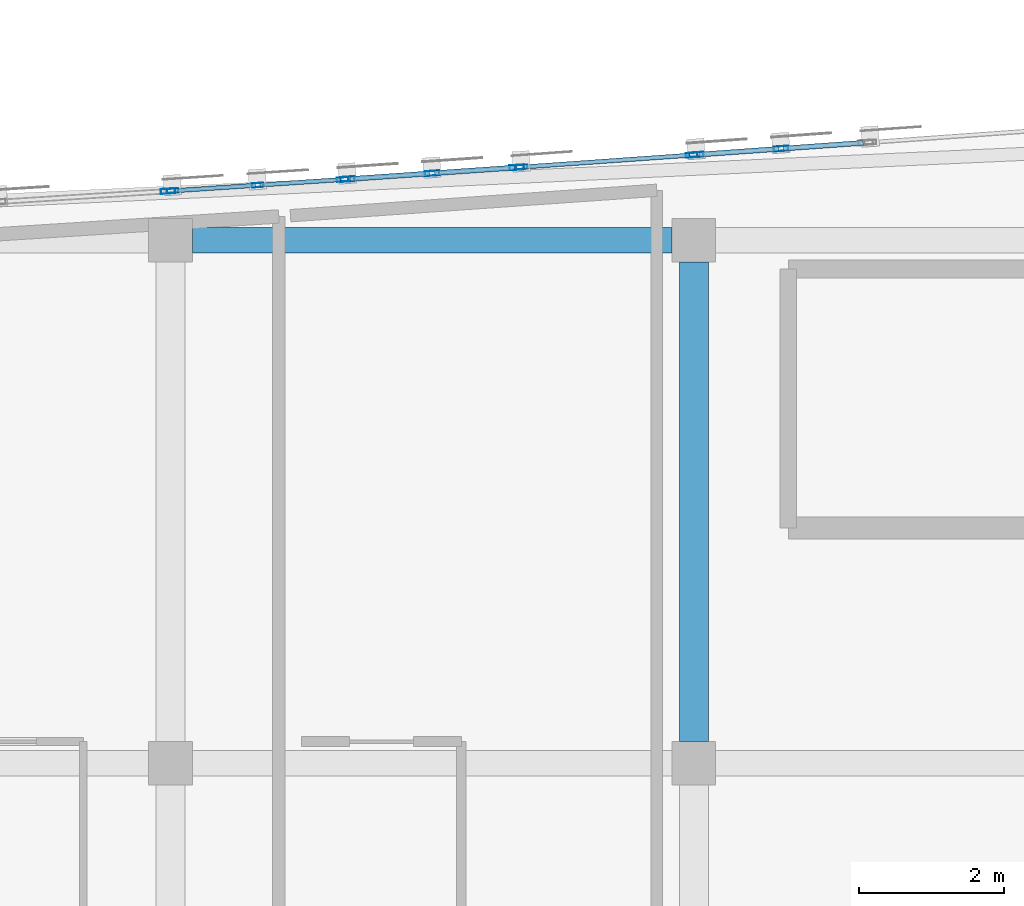
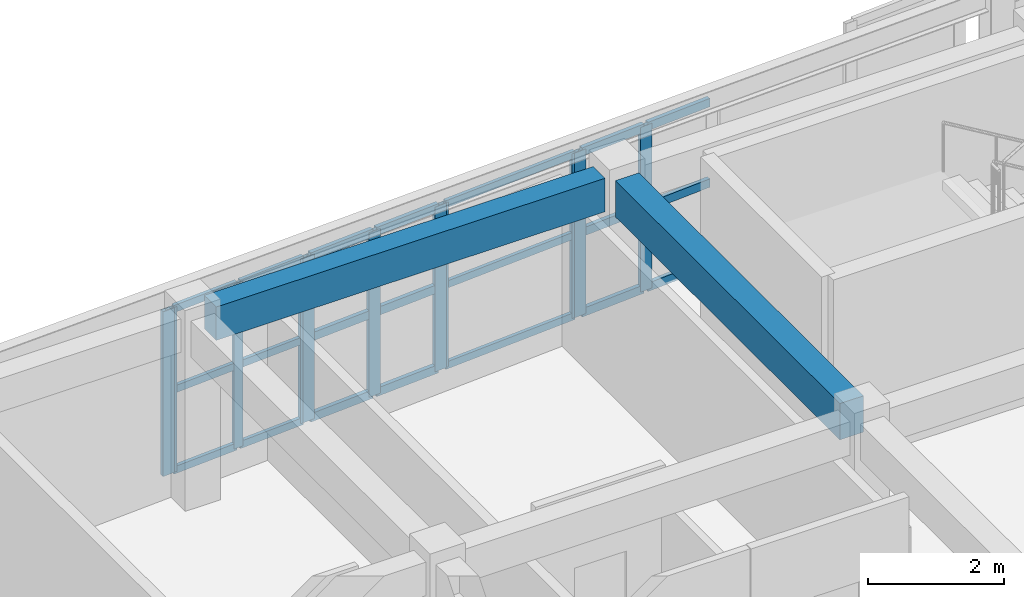
# One storey, part 7 of 41: 32 members, 2 beams, 5 elements without a shape of their own.
"""IFC4 building model written with IfcOpenShell, lengths in metres."""

from ifc_helpers import new_model, si_unit, direction, frame, origin, origin_2d, place, context, subcontext, project, spatial, rectangle, hollow_rectangle, extrude, material, layer, layer_set, material_profile, profile_set, type_object, element, aggregate, save


model = new_model("IFC4")

# Units and contexts
model_context = context("Model", 3, precision=1e-05, world=origin(), true_north=direction((0.0, 1.0)))
body_context = subcontext(model_context, "Body", "Model", "MODEL_VIEW")
ifc_project = project(units=[si_unit("LENGTHUNIT", "METRE"), si_unit("AREAUNIT", "SQUARE_METRE"), si_unit("VOLUMEUNIT", "CUBIC_METRE"), si_unit("PLANEANGLEUNIT", "RADIAN"), si_unit("MASSUNIT", "GRAM", prefix="KILO")], contexts=[model_context])

# Site, building, storey
site_placement = place(None, origin())
site = spatial("IfcSite", under=ifc_project, at=site_placement, CompositionType="ELEMENT")
building_placement = place(site_placement, origin())
building = spatial("IfcBuilding", under=site, at=building_placement, Name="Carrowvane Square Congress Hotel", CompositionType="ELEMENT")
storey_placement = place(building_placement, frame((0.0, 0.0, 37.199951171875)))
storey = spatial("IfcBuildingStorey", under=building, at=storey_placement, Name="L09", CompositionType="ELEMENT", Elevation=37.199951171875)

# Beams
ifc_material_1 = material(Name="Concrete C35/45", Category="concrete")
ifc_material_profile_1 = material_profile(ifc_material_1, rectangle(XDim=0.35009765625, YDim=0.60009765625, at=origin_2d()), Name="RC 350x600")
ifc_profile_set_1 = profile_set([ifc_material_profile_1], Name="Concrete C35/45")
beam_type_1 = type_object("IfcBeamType", Name="BM-RC-350x600", PredefinedType="BEAM", material=ifc_profile_set_1)
beam_1_placement = place(storey_placement, frame((47.89990234375, 113.39990234375, 3.080078125), z_axis=(1.0, 0.0, 0.0), x_axis=(0.0, 1.0, 0.0)))
element("IfcBeam", 1, at=beam_1_placement, inside=storey, type_object=beam_type_1, Name="L10 girder R/6-7", PredefinedType="BEAM", context=body_context, shape_type="SweptSolid", body=[
    extrude(rectangle(XDim=0.35009765625, YDim=0.60009765625, at=origin_2d()), origin(), (0.0, 0.0, 1.0), 6.60009765625),
])
ifc_material_2 = material(Name="Concrete C35/45", Category="concrete")
ifc_material_profile_2 = material_profile(ifc_material_2, rectangle(XDim=0.39990234375, YDim=0.64990234375, at=origin_2d()), Name="RC 400x650")
ifc_profile_set_2 = profile_set([ifc_material_profile_2], Name="Concrete C35/45")
beam_type_2 = type_object("IfcBeamType", Name="BM-RC-400x650", PredefinedType="BEAM", material=ifc_profile_set_2)
beam_2_placement = place(storey_placement, frame((54.800048828125, 106.5, 3.054931640625), z_axis=(0.0, 1.0, 0.0), x_axis=(-1.0, 0.0, 0.0)))
element("IfcBeam", 2, at=beam_2_placement, inside=storey, type_object=beam_type_2, Name="L10 girder 7/Q-R", PredefinedType="BEAM", context=body_context, shape_type="SweptSolid", body=[
    extrude(rectangle(XDim=0.39990234375, YDim=0.64990234375, at=origin_2d()), origin(), (0.0, 0.0, 1.0), 6.60009765625),
])

# Curtain wall, members
ifc_material_3 = material(Name="Anodised aluminium", Category="aluminium")
ifc_layer_1 = layer(ifc_material_3, 0.23388671875)
ifc_layer_set_1 = layer_set([ifc_layer_1], Name="Anodised aluminium")
curtain_wall_type_1 = type_object("IfcCurtainWallType", Name="CW-SYS-7", PredefinedType="NOTDEFINED", material=ifc_layer_set_1)
curtain_wall_1_placement = place(storey_placement, origin())
curtain_wall_1 = element("IfcCurtainWall", 3, at=curtain_wall_1_placement, inside=storey, type_object=curtain_wall_type_1, Name="L09 unitised curtain wall 510", PredefinedType="NOTDEFINED")
ifc_material_4 = material(Name="Anodised aluminium", Category="aluminium")
ifc_material_profile_3 = material_profile(ifc_material_4, hollow_rectangle(XDim=0.06005859375, YDim=0.159912109375, WallThickness=0.00390625, at=origin_2d()), Name="CW-ML 60x160x4")
ifc_profile_set_3 = profile_set([ifc_material_profile_3], Name="Anodised aluminium")
member_type_1 = type_object("IfcMemberType", Name="CW-MUL-1", PredefinedType="MULLION", material=ifc_profile_set_3)
member_1_placement = place(storey_placement, frame((47.6298828125, 114.077392578125, 0.0), z_axis=(0.0, 0.0, 1.0), x_axis=(-0.066578061501, 0.99778121937, 0.0)))
member_1 = element("IfcMember", 4, at=member_1_placement, type_object=member_type_1, Name="CW-7 mullion 1", PredefinedType="MULLION", context=body_context, shape_type="SweptSolid", body=[
    extrude(hollow_rectangle(XDim=0.06005859375, YDim=0.159912109375, WallThickness=0.00390625, at=origin_2d()), origin(), (0.0, 0.0, 1.0), 2.95556640625),
])
member_2_placement = place(storey_placement, frame((48.800048828125, 114.155517578125, 0.0), z_axis=(0.0, 0.0, 1.0), x_axis=(-0.066578061501, 0.99778121937, 0.0)))
member_2 = element("IfcMember", 5, at=member_2_placement, type_object=member_type_1, Name="CW-7 mullion 2", PredefinedType="MULLION", context=body_context, shape_type="SweptSolid", body=[
    extrude(hollow_rectangle(XDim=0.06005859375, YDim=0.159912109375, WallThickness=0.00390625, at=origin_2d()), origin(), (0.0, 0.0, 1.0), 2.95556640625),
])
member_3_placement = place(storey_placement, frame((49.969970703125, 114.2333984375, 0.0), z_axis=(0.0, 0.0, 1.0), x_axis=(-0.066578061501, 0.99778121937, 0.0)))
member_3 = element("IfcMember", 6, at=member_3_placement, type_object=member_type_1, Name="CW-7 mullion 3", PredefinedType="MULLION", context=body_context, shape_type="SweptSolid", body=[
    extrude(hollow_rectangle(XDim=0.06005859375, YDim=0.159912109375, WallThickness=0.00390625, at=origin_2d()), origin(), (0.0, 0.0, 1.0), 2.95556640625),
])

ifc_material_5 = material(Name="Anodised aluminium", Category="aluminium")
ifc_layer_2 = layer(ifc_material_5, 0.162109375)
ifc_layer_set_2 = layer_set([ifc_layer_2], Name="Anodised aluminium")
curtain_wall_type_2 = type_object("IfcCurtainWallType", Name="CW-SYS-1", PredefinedType="NOTDEFINED", material=ifc_layer_set_2)
curtain_wall_2_placement = place(storey_placement, origin())
curtain_wall_2 = element("IfcCurtainWall", 7, at=curtain_wall_2_placement, inside=storey, type_object=curtain_wall_type_2, Name="L09 unitised curtain wall 512", PredefinedType="NOTDEFINED")
member_4_placement = place(storey_placement, frame((52.429931640625, 114.403564453125, 0.0), z_axis=(0.0, 0.0, 1.0), x_axis=(-0.070585996942, 0.997505697746, 0.0)))
member_4 = element("IfcMember", 8, at=member_4_placement, type_object=member_type_1, Name="CW-1 mullion 1", PredefinedType="MULLION", context=body_context, shape_type="SweptSolid", body=[
    extrude(hollow_rectangle(XDim=0.06005859375, YDim=0.159912109375, WallThickness=0.00390625, at=origin_2d()), origin(), (0.0, 0.0, 1.0), 2.95556640625),
])
member_5_placement = place(storey_placement, frame((54.77001953125, 114.569091796875, 0.0), z_axis=(0.0, 0.0, 1.0), x_axis=(-0.070585996942, 0.997505697746, 0.0)))
member_5 = element("IfcMember", 9, at=member_5_placement, type_object=member_type_1, Name="CW-1 mullion 2", PredefinedType="MULLION", context=body_context, shape_type="SweptSolid", body=[
    extrude(hollow_rectangle(XDim=0.06005859375, YDim=0.159912109375, WallThickness=0.00390625, at=origin_2d()), origin(), (0.0, 0.0, 1.0), 2.95556640625),
])

# Curtain wall, member
ifc_material_6 = material(Name="Anodised aluminium", Category="aluminium")
ifc_layer_3 = layer(ifc_material_6, 0.221923828125)
ifc_layer_set_3 = layer_set([ifc_layer_3], Name="Anodised aluminium")
curtain_wall_type_3 = type_object("IfcCurtainWallType", Name="CW-SYS-6", PredefinedType="NOTDEFINED", material=ifc_layer_set_3)
curtain_wall_3_placement = place(storey_placement, origin())
curtain_wall_3 = element("IfcCurtainWall", 10, at=curtain_wall_3_placement, inside=storey, type_object=curtain_wall_type_3, Name="L09 unitised curtain wall 509", PredefinedType="NOTDEFINED")
ifc_material_7 = material(Name="Anodised aluminium", Category="aluminium")
ifc_material_profile_4 = material_profile(ifc_material_7, hollow_rectangle(XDim=0.070068359375, YDim=0.199951171875, WallThickness=0.0048828125, at=origin_2d()), Name="CW-ML 70x200x5")
ifc_profile_set_4 = profile_set([ifc_material_profile_4], Name="Anodised aluminium")
member_type_2 = type_object("IfcMemberType", Name="CW-MUL-2", PredefinedType="MULLION", material=ifc_profile_set_4)
member_6_placement = place(storey_placement, frame((47.56494140625, 114.0732421875, 0.0), z_axis=(0.0, 0.0, 1.0), x_axis=(-0.063273487972, 0.997996225303, 0.0)))
member_6 = element("IfcMember", 11, at=member_6_placement, type_object=member_type_2, Name="CW-6 mullion 2", PredefinedType="MULLION", context=body_context, shape_type="SweptSolid", body=[
    extrude(hollow_rectangle(XDim=0.070068359375, YDim=0.199951171875, WallThickness=0.0048828125, at=origin_2d()), origin(), (0.0, 0.0, 1.0), 2.95556640625),
])
aggregate(curtain_wall_3, [member_6])

# Curtain wall, members
ifc_material_8 = material(Name="Anodised aluminium", Category="aluminium")
ifc_layer_4 = layer(ifc_material_8, 0.24609375)
ifc_layer_set_4 = layer_set([ifc_layer_4], Name="Anodised aluminium")
curtain_wall_type_4 = type_object("IfcCurtainWallType", Name="CW-SYS-8", PredefinedType="NOTDEFINED", material=ifc_layer_set_4)
curtain_wall_4_placement = place(storey_placement, origin())
curtain_wall_4 = element("IfcCurtainWall", 12, at=curtain_wall_4_placement, inside=storey, type_object=curtain_wall_type_4, Name="L09 unitised curtain wall 511", PredefinedType="NOTDEFINED")
member_7_placement = place(storey_placement, frame((50.034912109375, 114.23779296875, 0.0), z_axis=(0.0, 0.0, 1.0), x_axis=(-0.068986120725, 0.997617619706, 0.0)))
member_7 = element("IfcMember", 13, at=member_7_placement, type_object=member_type_2, Name="CW-8 mullion 1", PredefinedType="MULLION", context=body_context, shape_type="SweptSolid", body=[
    extrude(hollow_rectangle(XDim=0.070068359375, YDim=0.199951171875, WallThickness=0.0048828125, at=origin_2d()), origin(), (0.0, 0.0, 1.0), 2.95556640625),
])
member_8_placement = place(storey_placement, frame((51.199951171875, 114.318359375, 0.0), z_axis=(0.0, 0.0, 1.0), x_axis=(-0.068986120725, 0.997617619706, 0.0)))
member_8 = element("IfcMember", 14, at=member_8_placement, type_object=member_type_2, Name="CW-8 mullion 2", PredefinedType="MULLION", context=body_context, shape_type="SweptSolid", body=[
    extrude(hollow_rectangle(XDim=0.070068359375, YDim=0.199951171875, WallThickness=0.0048828125, at=origin_2d()), origin(), (0.0, 0.0, 1.0), 2.95556640625),
])
member_9_placement = place(storey_placement, frame((52.364990234375, 114.39892578125, 0.0), z_axis=(0.0, 0.0, 1.0), x_axis=(-0.068986120725, 0.997617619706, 0.0)))
member_9 = element("IfcMember", 15, at=member_9_placement, type_object=member_type_2, Name="CW-8 mullion 3", PredefinedType="MULLION", context=body_context, shape_type="SweptSolid", body=[
    extrude(hollow_rectangle(XDim=0.070068359375, YDim=0.199951171875, WallThickness=0.0048828125, at=origin_2d()), origin(), (0.0, 0.0, 1.0), 2.95556640625),
])

ifc_material_9 = material(Name="Anodised aluminium", Category="aluminium")
ifc_layer_5 = layer(ifc_material_9, 0.174072265625)
ifc_layer_set_5 = layer_set([ifc_layer_5], Name="Anodised aluminium")
curtain_wall_type_5 = type_object("IfcCurtainWallType", Name="CW-SYS-2", PredefinedType="NOTDEFINED", material=ifc_layer_set_5)
curtain_wall_5_placement = place(storey_placement, origin())
curtain_wall_5 = element("IfcCurtainWall", 16, at=curtain_wall_5_placement, inside=storey, type_object=curtain_wall_type_5, Name="L09 unitised curtain wall 513", PredefinedType="NOTDEFINED")
member_10_placement = place(storey_placement, frame((54.8349609375, 114.57373046875, 0.0), z_axis=(0.0, 0.0, 1.0), x_axis=(-0.071418356042, 0.997446448898, 0.0)))
member_10 = element("IfcMember", 17, at=member_10_placement, type_object=member_type_2, Name="CW-2 mullion 1", PredefinedType="MULLION", context=body_context, shape_type="SweptSolid", body=[
    extrude(hollow_rectangle(XDim=0.070068359375, YDim=0.199951171875, WallThickness=0.0048828125, at=origin_2d()), origin(), (0.0, 0.0, 1.0), 2.95556640625),
])
member_11_placement = place(storey_placement, frame((56.0, 114.6572265625, 0.0), z_axis=(0.0, 0.0, 1.0), x_axis=(-0.071418356042, 0.997446448898, 0.0)))
member_11 = element("IfcMember", 18, at=member_11_placement, type_object=member_type_2, Name="CW-2 mullion 2", PredefinedType="MULLION", context=body_context, shape_type="SweptSolid", body=[
    extrude(hollow_rectangle(XDim=0.070068359375, YDim=0.199951171875, WallThickness=0.0048828125, at=origin_2d()), origin(), (0.0, 0.0, 1.0), 2.95556640625),
])

# Member
ifc_material_10 = material(Name="Anodised aluminium", Category="aluminium")
ifc_material_profile_5 = material_profile(ifc_material_10, hollow_rectangle(XDim=0.06005859375, YDim=0.1298828125, WallThickness=0.00390625, at=origin_2d()), Name="CW-TR 60x130x4")
ifc_profile_set_5 = profile_set([ifc_material_profile_5], Name="Anodised aluminium")
member_type_3 = type_object("IfcMemberType", Name="CW-TRN-1", PredefinedType="USERDEFINED", material=ifc_profile_set_5)
member_12_placement = place(storey_placement, frame((47.659912109375, 114.079345703125, 0.030029296875), z_axis=(0.997787099366, 0.066489881484, 0.0), x_axis=(-0.066489881484, 0.997787099366, 0.0)))
member_12 = element("IfcMember", 19, at=member_12_placement, type_object=member_type_3, Name="CW-7 transom 1.1", ObjectType="TRANSOM", PredefinedType="USERDEFINED", context=body_context, shape_type="SweptSolid", body=[
    extrude(hollow_rectangle(XDim=0.06005859375, YDim=0.1298828125, WallThickness=0.00390625, at=origin_2d()), origin(), (0.0, 0.0, 1.0), 1.112548828125),
])

member_13_placement = place(storey_placement, frame((47.659912109375, 114.079345703125, 1.477783203125), z_axis=(0.997787099366, 0.066489881484, 0.0), x_axis=(-0.066489881484, 0.997787099366, 0.0)))
member_13 = element("IfcMember", 20, at=member_13_placement, type_object=member_type_3, Name="CW-7 transom 1.2", ObjectType="TRANSOM", PredefinedType="USERDEFINED", context=body_context, shape_type="SweptSolid", body=[
    extrude(hollow_rectangle(XDim=0.06005859375, YDim=0.1298828125, WallThickness=0.00390625, at=origin_2d()), origin(), (0.0, 0.0, 1.0), 1.112548828125),
])

member_14_placement = place(storey_placement, frame((47.659912109375, 114.079345703125, 2.925537109375), z_axis=(0.997787099366, 0.066489881484, 0.0), x_axis=(-0.066489881484, 0.997787099366, 0.0)))
member_14 = element("IfcMember", 21, at=member_14_placement, type_object=member_type_3, Name="CW-7 transom 1.3", ObjectType="TRANSOM", PredefinedType="USERDEFINED", context=body_context, shape_type="SweptSolid", body=[
    extrude(hollow_rectangle(XDim=0.06005859375, YDim=0.1298828125, WallThickness=0.00390625, at=origin_2d()), origin(), (0.0, 0.0, 1.0), 1.112548828125),
])

member_15_placement = place(storey_placement, frame((48.829833984375, 114.157470703125, 0.030029296875), z_axis=(0.997788069164, 0.066475326508, 0.0), x_axis=(-0.066475326508, 0.997788069164, 0.0)))
member_15 = element("IfcMember", 22, at=member_15_placement, type_object=member_type_3, Name="CW-7 transom 2.1", ObjectType="TRANSOM", PredefinedType="USERDEFINED", context=body_context, shape_type="SweptSolid", body=[
    extrude(hollow_rectangle(XDim=0.06005859375, YDim=0.1298828125, WallThickness=0.00390625, at=origin_2d()), origin(), (0.0, 0.0, 1.0), 1.11279296875),
])

member_16_placement = place(storey_placement, frame((48.829833984375, 114.157470703125, 1.477783203125), z_axis=(0.997788069164, 0.066475326508, 0.0), x_axis=(-0.066475326508, 0.997788069164, 0.0)))
member_16 = element("IfcMember", 23, at=member_16_placement, type_object=member_type_3, Name="CW-7 transom 2.2", ObjectType="TRANSOM", PredefinedType="USERDEFINED", context=body_context, shape_type="SweptSolid", body=[
    extrude(hollow_rectangle(XDim=0.06005859375, YDim=0.1298828125, WallThickness=0.00390625, at=origin_2d()), origin(), (0.0, 0.0, 1.0), 1.11279296875),
])

member_17_placement = place(storey_placement, frame((48.829833984375, 114.157470703125, 2.925537109375), z_axis=(0.997788069164, 0.066475326508, 0.0), x_axis=(-0.066475326508, 0.997788069164, 0.0)))
member_17 = element("IfcMember", 24, at=member_17_placement, type_object=member_type_3, Name="CW-7 transom 2.3", ObjectType="TRANSOM", PredefinedType="USERDEFINED", context=body_context, shape_type="SweptSolid", body=[
    extrude(hollow_rectangle(XDim=0.06005859375, YDim=0.1298828125, WallThickness=0.00390625, at=origin_2d()), origin(), (0.0, 0.0, 1.0), 1.11279296875),
])

aggregate(curtain_wall_1, [member_1, member_2, member_3, member_12, member_13, member_14, member_15, member_16, member_17])

member_18_placement = place(storey_placement, frame((52.4599609375, 114.40576171875, 0.030029296875), z_axis=(0.997505109293, 0.070594312339, 0.0), x_axis=(-0.070594312339, 0.997505109293, 0.0)))
member_18 = element("IfcMember", 25, at=member_18_placement, type_object=member_type_3, Name="CW-1 transom 1.1", ObjectType="TRANSOM", PredefinedType="USERDEFINED", context=body_context, shape_type="SweptSolid", body=[
    extrude(hollow_rectangle(XDim=0.06005859375, YDim=0.1298828125, WallThickness=0.00390625, at=origin_2d()), origin(), (0.0, 0.0, 1.0), 2.285888671875),
])

member_19_placement = place(storey_placement, frame((52.4599609375, 114.40576171875, 1.477783203125), z_axis=(0.997505109293, 0.070594312339, 0.0), x_axis=(-0.070594312339, 0.997505109293, 0.0)))
member_19 = element("IfcMember", 26, at=member_19_placement, type_object=member_type_3, Name="CW-1 transom 1.2", ObjectType="TRANSOM", PredefinedType="USERDEFINED", context=body_context, shape_type="SweptSolid", body=[
    extrude(hollow_rectangle(XDim=0.06005859375, YDim=0.1298828125, WallThickness=0.00390625, at=origin_2d()), origin(), (0.0, 0.0, 1.0), 2.285888671875),
])

member_20_placement = place(storey_placement, frame((52.4599609375, 114.40576171875, 2.925537109375), z_axis=(0.997505109293, 0.070594312339, 0.0), x_axis=(-0.070594312339, 0.997505109293, 0.0)))
member_20 = element("IfcMember", 27, at=member_20_placement, type_object=member_type_3, Name="CW-1 transom 1.3", ObjectType="TRANSOM", PredefinedType="USERDEFINED", context=body_context, shape_type="SweptSolid", body=[
    extrude(hollow_rectangle(XDim=0.06005859375, YDim=0.1298828125, WallThickness=0.00390625, at=origin_2d()), origin(), (0.0, 0.0, 1.0), 2.285888671875),
])

aggregate(curtain_wall_2, [member_4, member_5, member_18, member_19, member_20])

ifc_material_11 = material(Name="Anodised aluminium", Category="aluminium")
ifc_material_profile_6 = material_profile(ifc_material_11, hollow_rectangle(XDim=0.070068359375, YDim=0.14990234375, WallThickness=0.0048828125, at=origin_2d()), Name="CW-TR 70x150x5")
ifc_profile_set_6 = profile_set([ifc_material_profile_6], Name="Anodised aluminium")
member_type_4 = type_object("IfcMemberType", Name="CW-TRN-2", PredefinedType="USERDEFINED", material=ifc_profile_set_6)
member_21_placement = place(storey_placement, frame((50.06982421875, 114.240234375, 0.03515625), z_axis=(0.997605525586, 0.069160793236, 0.0), x_axis=(-0.069160793236, 0.997605525586, 0.0)))
member_21 = element("IfcMember", 28, at=member_21_placement, type_object=member_type_4, Name="CW-8 transom 1.1", ObjectType="TRANSOM", PredefinedType="USERDEFINED", context=body_context, shape_type="SweptSolid", body=[
    extrude(hollow_rectangle(XDim=0.070068359375, YDim=0.14990234375, WallThickness=0.0048828125, at=origin_2d()), origin(), (0.0, 0.0, 1.0), 1.097900390625),
])

member_22_placement = place(storey_placement, frame((50.06982421875, 114.240234375, 1.477783203125), z_axis=(0.997605525586, 0.069160793236, 0.0), x_axis=(-0.069160793236, 0.997605525586, 0.0)))
member_22 = element("IfcMember", 29, at=member_22_placement, type_object=member_type_4, Name="CW-8 transom 1.2", ObjectType="TRANSOM", PredefinedType="USERDEFINED", context=body_context, shape_type="SweptSolid", body=[
    extrude(hollow_rectangle(XDim=0.070068359375, YDim=0.14990234375, WallThickness=0.0048828125, at=origin_2d()), origin(), (0.0, 0.0, 1.0), 1.097900390625),
])

member_23_placement = place(storey_placement, frame((50.06982421875, 114.240234375, 2.920654296875), z_axis=(0.997605525586, 0.069160793236, 0.0), x_axis=(-0.069160793236, 0.997605525586, 0.0)))
member_23 = element("IfcMember", 30, at=member_23_placement, type_object=member_type_4, Name="CW-8 transom 1.3", ObjectType="TRANSOM", PredefinedType="USERDEFINED", context=body_context, shape_type="SweptSolid", body=[
    extrude(hollow_rectangle(XDim=0.070068359375, YDim=0.14990234375, WallThickness=0.0048828125, at=origin_2d()), origin(), (0.0, 0.0, 1.0), 1.097900390625),
])

member_24_placement = place(storey_placement, frame((51.23486328125, 114.32080078125, 0.03515625), z_axis=(0.997605525586, 0.069160793236, 0.0), x_axis=(-0.069160793236, 0.997605525586, 0.0)))
member_24 = element("IfcMember", 31, at=member_24_placement, type_object=member_type_4, Name="CW-8 transom 2.1", ObjectType="TRANSOM", PredefinedType="USERDEFINED", context=body_context, shape_type="SweptSolid", body=[
    extrude(hollow_rectangle(XDim=0.070068359375, YDim=0.14990234375, WallThickness=0.0048828125, at=origin_2d()), origin(), (0.0, 0.0, 1.0), 1.097900390625),
])

member_25_placement = place(storey_placement, frame((51.23486328125, 114.32080078125, 1.477783203125), z_axis=(0.997605525586, 0.069160793236, 0.0), x_axis=(-0.069160793236, 0.997605525586, 0.0)))
member_25 = element("IfcMember", 32, at=member_25_placement, type_object=member_type_4, Name="CW-8 transom 2.2", ObjectType="TRANSOM", PredefinedType="USERDEFINED", context=body_context, shape_type="SweptSolid", body=[
    extrude(hollow_rectangle(XDim=0.070068359375, YDim=0.14990234375, WallThickness=0.0048828125, at=origin_2d()), origin(), (0.0, 0.0, 1.0), 1.097900390625),
])

member_26_placement = place(storey_placement, frame((51.23486328125, 114.32080078125, 2.920654296875), z_axis=(0.997605525586, 0.069160793236, 0.0), x_axis=(-0.069160793236, 0.997605525586, 0.0)))
member_26 = element("IfcMember", 33, at=member_26_placement, type_object=member_type_4, Name="CW-8 transom 2.3", ObjectType="TRANSOM", PredefinedType="USERDEFINED", context=body_context, shape_type="SweptSolid", body=[
    extrude(hollow_rectangle(XDim=0.070068359375, YDim=0.14990234375, WallThickness=0.0048828125, at=origin_2d()), origin(), (0.0, 0.0, 1.0), 1.097900390625),
])

aggregate(curtain_wall_4, [member_7, member_8, member_9, member_21, member_22, member_23, member_24, member_25, member_26])

member_27_placement = place(storey_placement, frame((54.869873046875, 114.576171875, 0.03515625), z_axis=(0.997433808996, 0.071594669304, 0.0), x_axis=(-0.071594669304, 0.997433808996, 0.0)))
member_27 = element("IfcMember", 34, at=member_27_placement, type_object=member_type_4, Name="CW-2 transom 1.1", ObjectType="TRANSOM", PredefinedType="USERDEFINED", context=body_context, shape_type="SweptSolid", body=[
    extrude(hollow_rectangle(XDim=0.070068359375, YDim=0.14990234375, WallThickness=0.0048828125, at=origin_2d()), origin(), (0.0, 0.0, 1.0), 1.09814453125),
])

member_28_placement = place(storey_placement, frame((54.869873046875, 114.576171875, 1.477783203125), z_axis=(0.997433808996, 0.071594669304, 0.0), x_axis=(-0.071594669304, 0.997433808996, 0.0)))
member_28 = element("IfcMember", 35, at=member_28_placement, type_object=member_type_4, Name="CW-2 transom 1.2", ObjectType="TRANSOM", PredefinedType="USERDEFINED", context=body_context, shape_type="SweptSolid", body=[
    extrude(hollow_rectangle(XDim=0.070068359375, YDim=0.14990234375, WallThickness=0.0048828125, at=origin_2d()), origin(), (0.0, 0.0, 1.0), 1.09814453125),
])

member_29_placement = place(storey_placement, frame((54.869873046875, 114.576171875, 2.920654296875), z_axis=(0.997433808996, 0.071594669304, 0.0), x_axis=(-0.071594669304, 0.997433808996, 0.0)))
member_29 = element("IfcMember", 36, at=member_29_placement, type_object=member_type_4, Name="CW-2 transom 1.3", ObjectType="TRANSOM", PredefinedType="USERDEFINED", context=body_context, shape_type="SweptSolid", body=[
    extrude(hollow_rectangle(XDim=0.070068359375, YDim=0.14990234375, WallThickness=0.0048828125, at=origin_2d()), origin(), (0.0, 0.0, 1.0), 1.09814453125),
])

member_30_placement = place(storey_placement, frame((56.034912109375, 114.65966796875, 0.03515625), z_axis=(0.997449662492, 0.071373460022, 0.0), x_axis=(-0.071373460022, 0.997449662492, 0.0)))
member_30 = element("IfcMember", 37, at=member_30_placement, type_object=member_type_4, Name="CW-2 transom 2.1", ObjectType="TRANSOM", PredefinedType="USERDEFINED", context=body_context, shape_type="SweptSolid", body=[
    extrude(hollow_rectangle(XDim=0.070068359375, YDim=0.14990234375, WallThickness=0.0048828125, at=origin_2d()), origin(), (0.0, 0.0, 1.0), 1.097900390625),
])

member_31_placement = place(storey_placement, frame((56.034912109375, 114.65966796875, 1.477783203125), z_axis=(0.997449662492, 0.071373460022, 0.0), x_axis=(-0.071373460022, 0.997449662492, 0.0)))
member_31 = element("IfcMember", 38, at=member_31_placement, type_object=member_type_4, Name="CW-2 transom 2.2", ObjectType="TRANSOM", PredefinedType="USERDEFINED", context=body_context, shape_type="SweptSolid", body=[
    extrude(hollow_rectangle(XDim=0.070068359375, YDim=0.14990234375, WallThickness=0.0048828125, at=origin_2d()), origin(), (0.0, 0.0, 1.0), 1.097900390625),
])

member_32_placement = place(storey_placement, frame((56.034912109375, 114.65966796875, 2.920654296875), z_axis=(0.997449662492, 0.071373460022, 0.0), x_axis=(-0.071373460022, 0.997449662492, 0.0)))
member_32 = element("IfcMember", 39, at=member_32_placement, type_object=member_type_4, Name="CW-2 transom 2.3", ObjectType="TRANSOM", PredefinedType="USERDEFINED", context=body_context, shape_type="SweptSolid", body=[
    extrude(hollow_rectangle(XDim=0.070068359375, YDim=0.14990234375, WallThickness=0.0048828125, at=origin_2d()), origin(), (0.0, 0.0, 1.0), 1.097900390625),
])

aggregate(curtain_wall_5, [member_10, member_11, member_27, member_28, member_29, member_30, member_31, member_32])

save(model, "model.ifc")
